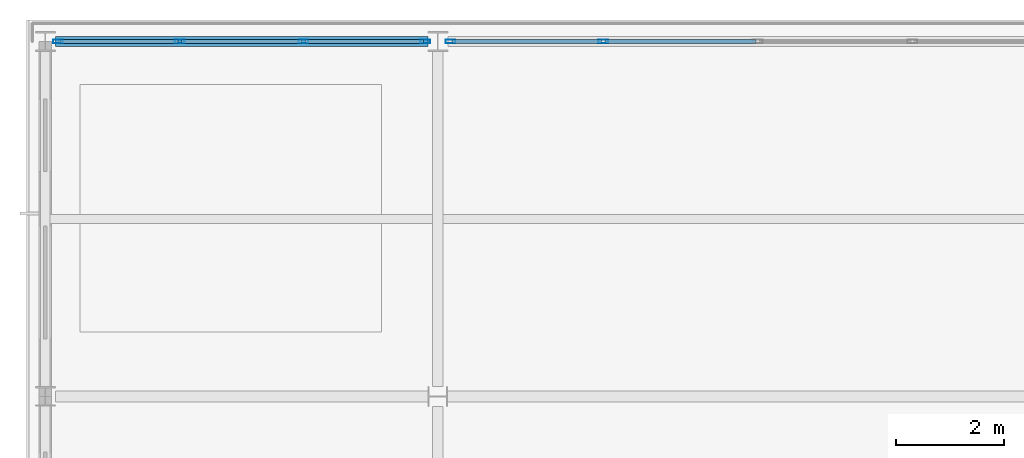
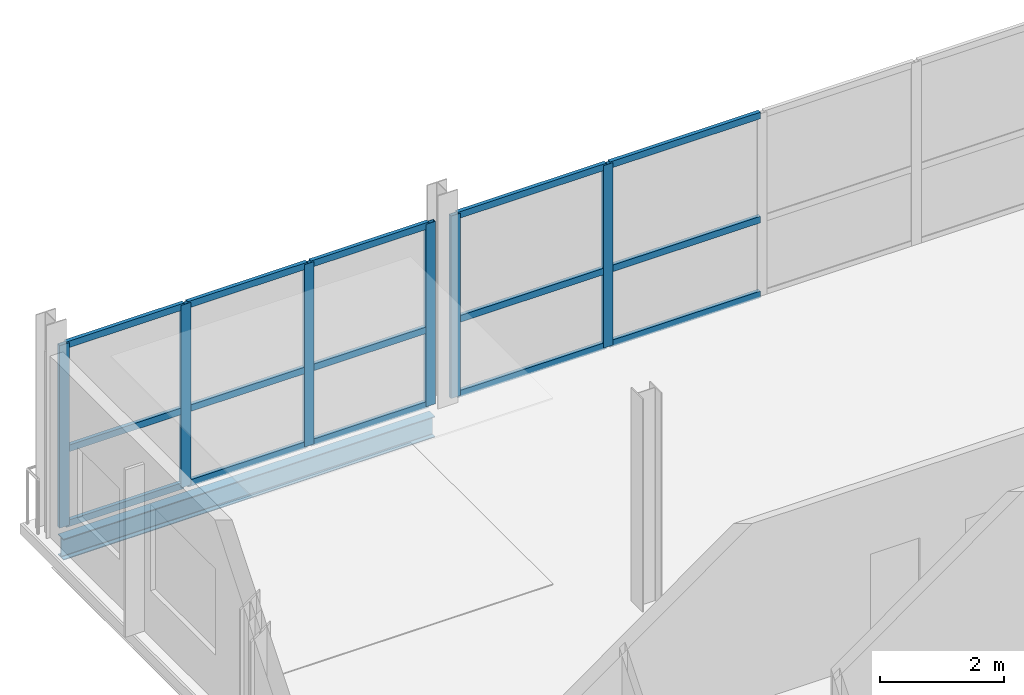
# One storey, part 7 of 16: 21 members, 1 beam, 2 elements without a shape of their own.
"""IFC4 building model written with IfcOpenShell, lengths in metres."""

from ifc_helpers import new_model, si_unit, direction, frame, origin, origin_2d, place, context, subcontext, project, spatial, hollow_rectangle, i_section, extrude, material, layer, layer_set, material_profile, profile_set, type_object, element, aggregate, save


model = new_model("IFC4")

# Units and contexts
model_context = context("Model", 3, precision=1e-05, world=origin(), true_north=direction((0.0, 1.0)))
body_context = subcontext(model_context, "Body", "Model", "MODEL_VIEW")
ifc_project = project(units=[si_unit("LENGTHUNIT", "METRE"), si_unit("AREAUNIT", "SQUARE_METRE"), si_unit("VOLUMEUNIT", "CUBIC_METRE"), si_unit("PLANEANGLEUNIT", "RADIAN"), si_unit("MASSUNIT", "GRAM", prefix="KILO")], contexts=[model_context])

# Site, building, storey
site_placement = place(None, origin())
site = spatial("IfcSite", under=ifc_project, at=site_placement, CompositionType="ELEMENT")
building_placement = place(site_placement, origin())
building = spatial("IfcBuilding", under=site, at=building_placement, Name="Quillay Park Conservatory", CompositionType="ELEMENT")
storey_placement = place(building_placement, frame((0.0, 0.0, 39.300048828125)))
storey = spatial("IfcBuildingStorey", under=building, at=storey_placement, Name="L09", CompositionType="ELEMENT", Elevation=39.300048828125)

# Curtain wall, members
ifc_material_1 = material(Name="Thermally Broken Anodised Aluminium 6063-T6", Category="aluminium")
ifc_layer = layer(ifc_material_1, 0.179931640625)
ifc_layer_set = layer_set([ifc_layer], Name="UNITISED CURTAIN WALL TOWER (Thermally Broken Anodised Aluminium 6063-T6)")
curtain_wall_type = type_object("IfcCurtainWallType", Name="UNITISED CURTAIN WALL TOWER", PredefinedType="USERDEFINED", material=ifc_layer_set)
curtain_wall_1_placement = place(storey_placement, origin())
curtain_wall_1 = element("IfcCurtainWall", 1, at=curtain_wall_1_placement, inside=storey, type_object=curtain_wall_type, Name="L09 Unitised Curtain Wall 093", ObjectType="UNITISED CURTAIN WALL", PredefinedType="USERDEFINED")
ifc_material_2 = material(Name="Thermally Broken Anodised Aluminium 6063-T6", Category="aluminium")
ifc_material_profile_1 = material_profile(ifc_material_2, hollow_rectangle(XDim=0.070068359375, YDim=0.179931640625, WallThickness=0.00390625, at=origin_2d()), Name="AL70x180x4")
ifc_profile_set_1 = profile_set([ifc_material_profile_1], Name="Thermally Broken Anodised Aluminium 6063-T6")
member_type_1 = type_object("IfcMemberType", Name="CURTAIN WALL MULLION 70 X180", PredefinedType="MULLION", material=ifc_profile_set_1)
member_1_placement = place(storey_placement, frame((0.784912109375, 113.39990234375, 0.0), z_axis=(0.0, 0.0, 1.0), x_axis=(0.0, 1.0, 0.0)))
member_1 = element("IfcMember", 2, at=member_1_placement, type_object=member_type_1, Name="CW-T1 mullion 1", PredefinedType="MULLION", context=body_context, shape_type="SweptSolid", body=[
    extrude(hollow_rectangle(XDim=0.070068359375, YDim=0.179931640625, WallThickness=0.00390625, at=origin_2d()), origin(), (0.0, 0.0, 1.0), 3.598876953125),
])
member_2_placement = place(storey_placement, frame((3.050048828125, 113.39990234375, 0.0), z_axis=(0.0, 0.0, 1.0), x_axis=(0.0, 1.0, 0.0)))
member_2 = element("IfcMember", 3, at=member_2_placement, type_object=member_type_1, Name="CW-T1 mullion 2", PredefinedType="MULLION", context=body_context, shape_type="SweptSolid", body=[
    extrude(hollow_rectangle(XDim=0.070068359375, YDim=0.179931640625, WallThickness=0.00390625, at=origin_2d()), origin(), (0.0, 0.0, 1.0), 3.598876953125),
])
member_3_placement = place(storey_placement, frame((5.35009765625, 113.39990234375, 0.0), z_axis=(0.0, 0.0, 1.0), x_axis=(0.0, 1.0, 0.0)))
member_3 = element("IfcMember", 4, at=member_3_placement, type_object=member_type_1, Name="CW-T1 mullion 3", PredefinedType="MULLION", context=body_context, shape_type="SweptSolid", body=[
    extrude(hollow_rectangle(XDim=0.070068359375, YDim=0.179931640625, WallThickness=0.00390625, at=origin_2d()), origin(), (0.0, 0.0, 1.0), 3.598876953125),
])
member_4_placement = place(storey_placement, frame((7.614990234375, 113.39990234375, 0.0), z_axis=(0.0, 0.0, 1.0), x_axis=(0.0, 1.0, 0.0)))
member_4 = element("IfcMember", 5, at=member_4_placement, type_object=member_type_1, Name="CW-T1 mullion 4", PredefinedType="MULLION", context=body_context, shape_type="SweptSolid", body=[
    extrude(hollow_rectangle(XDim=0.070068359375, YDim=0.179931640625, WallThickness=0.00390625, at=origin_2d()), origin(), (0.0, 0.0, 1.0), 3.598876953125),
])

curtain_wall_2_placement = place(storey_placement, origin())
curtain_wall_2 = element("IfcCurtainWall", 6, at=curtain_wall_2_placement, inside=storey, type_object=curtain_wall_type, Name="L09 Unitised Curtain Wall 094", ObjectType="UNITISED CURTAIN WALL", PredefinedType="USERDEFINED")
member_5_placement = place(storey_placement, frame((8.0849609375, 113.39990234375, 0.0), z_axis=(0.0, 0.0, 1.0), x_axis=(0.0, 1.0, 0.0)))
member_5 = element("IfcMember", 7, at=member_5_placement, type_object=member_type_1, Name="CW-T1 mullion 1", PredefinedType="MULLION", context=body_context, shape_type="SweptSolid", body=[
    extrude(hollow_rectangle(XDim=0.070068359375, YDim=0.179931640625, WallThickness=0.00390625, at=origin_2d()), origin(), (0.0, 0.0, 1.0), 3.598876953125),
])
member_6_placement = place(storey_placement, frame((10.925048828125, 113.39990234375, 0.0), z_axis=(0.0, 0.0, 1.0), x_axis=(0.0, 1.0, 0.0)))
member_6 = element("IfcMember", 8, at=member_6_placement, type_object=member_type_1, Name="CW-T1 mullion 2", PredefinedType="MULLION", context=body_context, shape_type="SweptSolid", body=[
    extrude(hollow_rectangle(XDim=0.070068359375, YDim=0.179931640625, WallThickness=0.00390625, at=origin_2d()), origin(), (0.0, 0.0, 1.0), 3.598876953125),
])

# Member
ifc_material_3 = material(Name="Thermally Broken Anodised Aluminium 6063-T6", Category="aluminium")
ifc_material_profile_2 = material_profile(ifc_material_3, hollow_rectangle(XDim=0.070068359375, YDim=0.1298828125, WallThickness=0.003173828125, at=origin_2d()), Name="AL70x130x3.2")
ifc_profile_set_2 = profile_set([ifc_material_profile_2], Name="Thermally Broken Anodised Aluminium 6063-T6")
member_type_2 = type_object("IfcMemberType", Name="CURTAIN WALL TRANSOM 70 X130", PredefinedType="USERDEFINED", material=ifc_profile_set_2)
member_7_placement = place(storey_placement, frame((0.820068359375, 113.39990234375, 0.034912109375), z_axis=(1.0, 0.0, 0.0), x_axis=(0.0, 1.0, 0.0)))
member_7 = element("IfcMember", 9, at=member_7_placement, type_object=member_type_2, Name="CW-T1 transom 1.1", ObjectType="TRANSOM", PredefinedType="USERDEFINED", context=body_context, shape_type="SweptSolid", body=[
    extrude(hollow_rectangle(XDim=0.070068359375, YDim=0.1298828125, WallThickness=0.003173828125, at=origin_2d()), origin(), (0.0, 0.0, 1.0), 2.19482421875),
])

member_8_placement = place(storey_placement, frame((0.820068359375, 113.39990234375, 1.511474609375), z_axis=(1.0, 0.0, 0.0), x_axis=(0.0, 1.0, 0.0)))
member_8 = element("IfcMember", 10, at=member_8_placement, type_object=member_type_2, Name="CW-T1 transom 1.2", ObjectType="TRANSOM", PredefinedType="USERDEFINED", context=body_context, shape_type="SweptSolid", body=[
    extrude(hollow_rectangle(XDim=0.070068359375, YDim=0.1298828125, WallThickness=0.003173828125, at=origin_2d()), origin(), (0.0, 0.0, 1.0), 2.19482421875),
])

member_9_placement = place(storey_placement, frame((0.820068359375, 113.39990234375, 3.56396484375), z_axis=(1.0, 0.0, 0.0), x_axis=(0.0, 1.0, 0.0)))
member_9 = element("IfcMember", 11, at=member_9_placement, type_object=member_type_2, Name="CW-T1 transom 1.3", ObjectType="TRANSOM", PredefinedType="USERDEFINED", context=body_context, shape_type="SweptSolid", body=[
    extrude(hollow_rectangle(XDim=0.070068359375, YDim=0.1298828125, WallThickness=0.003173828125, at=origin_2d()), origin(), (0.0, 0.0, 1.0), 2.19482421875),
])

member_10_placement = place(storey_placement, frame((3.0849609375, 113.39990234375, 0.034912109375), z_axis=(1.0, 0.0, 0.0), x_axis=(0.0, 1.0, 0.0)))
member_10 = element("IfcMember", 12, at=member_10_placement, type_object=member_type_2, Name="CW-T1 transom 2.1", ObjectType="TRANSOM", PredefinedType="USERDEFINED", context=body_context, shape_type="SweptSolid", body=[
    extrude(hollow_rectangle(XDim=0.070068359375, YDim=0.1298828125, WallThickness=0.003173828125, at=origin_2d()), origin(), (0.0, 0.0, 1.0), 2.22998046875),
])

member_11_placement = place(storey_placement, frame((3.0849609375, 113.39990234375, 1.511474609375), z_axis=(1.0, 0.0, 0.0), x_axis=(0.0, 1.0, 0.0)))
member_11 = element("IfcMember", 13, at=member_11_placement, type_object=member_type_2, Name="CW-T1 transom 2.2", ObjectType="TRANSOM", PredefinedType="USERDEFINED", context=body_context, shape_type="SweptSolid", body=[
    extrude(hollow_rectangle(XDim=0.070068359375, YDim=0.1298828125, WallThickness=0.003173828125, at=origin_2d()), origin(), (0.0, 0.0, 1.0), 2.22998046875),
])

member_12_placement = place(storey_placement, frame((3.0849609375, 113.39990234375, 3.56396484375), z_axis=(1.0, 0.0, 0.0), x_axis=(0.0, 1.0, 0.0)))
member_12 = element("IfcMember", 14, at=member_12_placement, type_object=member_type_2, Name="CW-T1 transom 2.3", ObjectType="TRANSOM", PredefinedType="USERDEFINED", context=body_context, shape_type="SweptSolid", body=[
    extrude(hollow_rectangle(XDim=0.070068359375, YDim=0.1298828125, WallThickness=0.003173828125, at=origin_2d()), origin(), (0.0, 0.0, 1.0), 2.22998046875),
])

member_13_placement = place(storey_placement, frame((5.385009765625, 113.39990234375, 0.034912109375), z_axis=(1.0, 0.0, 0.0), x_axis=(0.0, 1.0, 0.0)))
member_13 = element("IfcMember", 15, at=member_13_placement, type_object=member_type_2, Name="CW-T1 transom 3.1", ObjectType="TRANSOM", PredefinedType="USERDEFINED", context=body_context, shape_type="SweptSolid", body=[
    extrude(hollow_rectangle(XDim=0.070068359375, YDim=0.1298828125, WallThickness=0.003173828125, at=origin_2d()), origin(), (0.0, 0.0, 1.0), 2.195068359375),
])

member_14_placement = place(storey_placement, frame((5.385009765625, 113.39990234375, 1.511474609375), z_axis=(1.0, 0.0, 0.0), x_axis=(0.0, 1.0, 0.0)))
member_14 = element("IfcMember", 16, at=member_14_placement, type_object=member_type_2, Name="CW-T1 transom 3.2", ObjectType="TRANSOM", PredefinedType="USERDEFINED", context=body_context, shape_type="SweptSolid", body=[
    extrude(hollow_rectangle(XDim=0.070068359375, YDim=0.1298828125, WallThickness=0.003173828125, at=origin_2d()), origin(), (0.0, 0.0, 1.0), 2.195068359375),
])

member_15_placement = place(storey_placement, frame((5.385009765625, 113.39990234375, 3.56396484375), z_axis=(1.0, 0.0, 0.0), x_axis=(0.0, 1.0, 0.0)))
member_15 = element("IfcMember", 17, at=member_15_placement, type_object=member_type_2, Name="CW-T1 transom 3.3", ObjectType="TRANSOM", PredefinedType="USERDEFINED", context=body_context, shape_type="SweptSolid", body=[
    extrude(hollow_rectangle(XDim=0.070068359375, YDim=0.1298828125, WallThickness=0.003173828125, at=origin_2d()), origin(), (0.0, 0.0, 1.0), 2.195068359375),
])

aggregate(curtain_wall_1, [member_1, member_2, member_3, member_4, member_7, member_8, member_9, member_10, member_11, member_12, member_13, member_14, member_15])

member_16_placement = place(storey_placement, frame((8.1201171875, 113.39990234375, 0.034912109375), z_axis=(1.0, 0.0, 0.0), x_axis=(0.0, 1.0, 0.0)))
member_16 = element("IfcMember", 18, at=member_16_placement, type_object=member_type_2, Name="CW-T1 transom 1.1", ObjectType="TRANSOM", PredefinedType="USERDEFINED", context=body_context, shape_type="SweptSolid", body=[
    extrude(hollow_rectangle(XDim=0.070068359375, YDim=0.1298828125, WallThickness=0.003173828125, at=origin_2d()), origin(), (0.0, 0.0, 1.0), 2.769775390625),
])

member_17_placement = place(storey_placement, frame((8.1201171875, 113.39990234375, 1.511474609375), z_axis=(1.0, 0.0, 0.0), x_axis=(0.0, 1.0, 0.0)))
member_17 = element("IfcMember", 19, at=member_17_placement, type_object=member_type_2, Name="CW-T1 transom 1.2", ObjectType="TRANSOM", PredefinedType="USERDEFINED", context=body_context, shape_type="SweptSolid", body=[
    extrude(hollow_rectangle(XDim=0.070068359375, YDim=0.1298828125, WallThickness=0.003173828125, at=origin_2d()), origin(), (0.0, 0.0, 1.0), 2.769775390625),
])

member_18_placement = place(storey_placement, frame((8.1201171875, 113.39990234375, 3.56396484375), z_axis=(1.0, 0.0, 0.0), x_axis=(0.0, 1.0, 0.0)))
member_18 = element("IfcMember", 20, at=member_18_placement, type_object=member_type_2, Name="CW-T1 transom 1.3", ObjectType="TRANSOM", PredefinedType="USERDEFINED", context=body_context, shape_type="SweptSolid", body=[
    extrude(hollow_rectangle(XDim=0.070068359375, YDim=0.1298828125, WallThickness=0.003173828125, at=origin_2d()), origin(), (0.0, 0.0, 1.0), 2.769775390625),
])

member_19_placement = place(storey_placement, frame((10.9599609375, 113.39990234375, 0.034912109375), z_axis=(1.0, 0.0, 0.0), x_axis=(0.0, 1.0, 0.0)))
member_19 = element("IfcMember", 21, at=member_19_placement, type_object=member_type_2, Name="CW-T1 transom 2.1", ObjectType="TRANSOM", PredefinedType="USERDEFINED", context=body_context, shape_type="SweptSolid", body=[
    extrude(hollow_rectangle(XDim=0.070068359375, YDim=0.1298828125, WallThickness=0.003173828125, at=origin_2d()), origin(), (0.0, 0.0, 1.0), 2.804931640625),
])

member_20_placement = place(storey_placement, frame((10.9599609375, 113.39990234375, 1.511474609375), z_axis=(1.0, 0.0, 0.0), x_axis=(0.0, 1.0, 0.0)))
member_20 = element("IfcMember", 22, at=member_20_placement, type_object=member_type_2, Name="CW-T1 transom 2.2", ObjectType="TRANSOM", PredefinedType="USERDEFINED", context=body_context, shape_type="SweptSolid", body=[
    extrude(hollow_rectangle(XDim=0.070068359375, YDim=0.1298828125, WallThickness=0.003173828125, at=origin_2d()), origin(), (0.0, 0.0, 1.0), 2.804931640625),
])

member_21_placement = place(storey_placement, frame((10.9599609375, 113.39990234375, 3.56396484375), z_axis=(1.0, 0.0, 0.0), x_axis=(0.0, 1.0, 0.0)))
member_21 = element("IfcMember", 23, at=member_21_placement, type_object=member_type_2, Name="CW-T1 transom 2.3", ObjectType="TRANSOM", PredefinedType="USERDEFINED", context=body_context, shape_type="SweptSolid", body=[
    extrude(hollow_rectangle(XDim=0.070068359375, YDim=0.1298828125, WallThickness=0.003173828125, at=origin_2d()), origin(), (0.0, 0.0, 1.0), 2.804931640625),
])

aggregate(curtain_wall_2, [member_5, member_6, member_16, member_17, member_18, member_19, member_20, member_21])

# Beam
ifc_material_4 = material(Name="Steel ASTM A992 Grade 50", Category="steel")
ifc_material_profile_3 = material_profile(ifc_material_4, i_section(OverallWidth=0.179931640625, OverallDepth=0.4130859375, WebThickness=0.009765625, FlangeThickness=0.01611328125, FilletRadius=0.011962890625, at=origin_2d()), Name="W410x74")
ifc_profile_set_3 = profile_set([ifc_material_profile_3], Name="Steel ASTM A992 Grade 50")
beam_type = type_object("IfcBeamType", Name="PERIMETER SPANDREL BEAM W410 X74", PredefinedType="SPANDREL", material=ifc_profile_set_3)
beam_placement = place(storey_placement, frame((0.735595703125, 113.39990234375, -0.406494140625), z_axis=(1.0, 0.0, 0.0), x_axis=(0.0, 1.0, 0.0)))
element("IfcBeam", 24, at=beam_placement, inside=storey, type_object=beam_type, Name="L09 beam BM-SP-0668", PredefinedType="SPANDREL", context=body_context, shape_type="SweptSolid", body=[
    extrude(i_section(OverallWidth=0.179931640625, OverallDepth=0.4130859375, WebThickness=0.009765625, FlangeThickness=0.01611328125, FilletRadius=0.011962890625, at=origin_2d()), origin(), (0.0, 0.0, 1.0), 6.928955078125),
])

save(model, "model.ifc")
